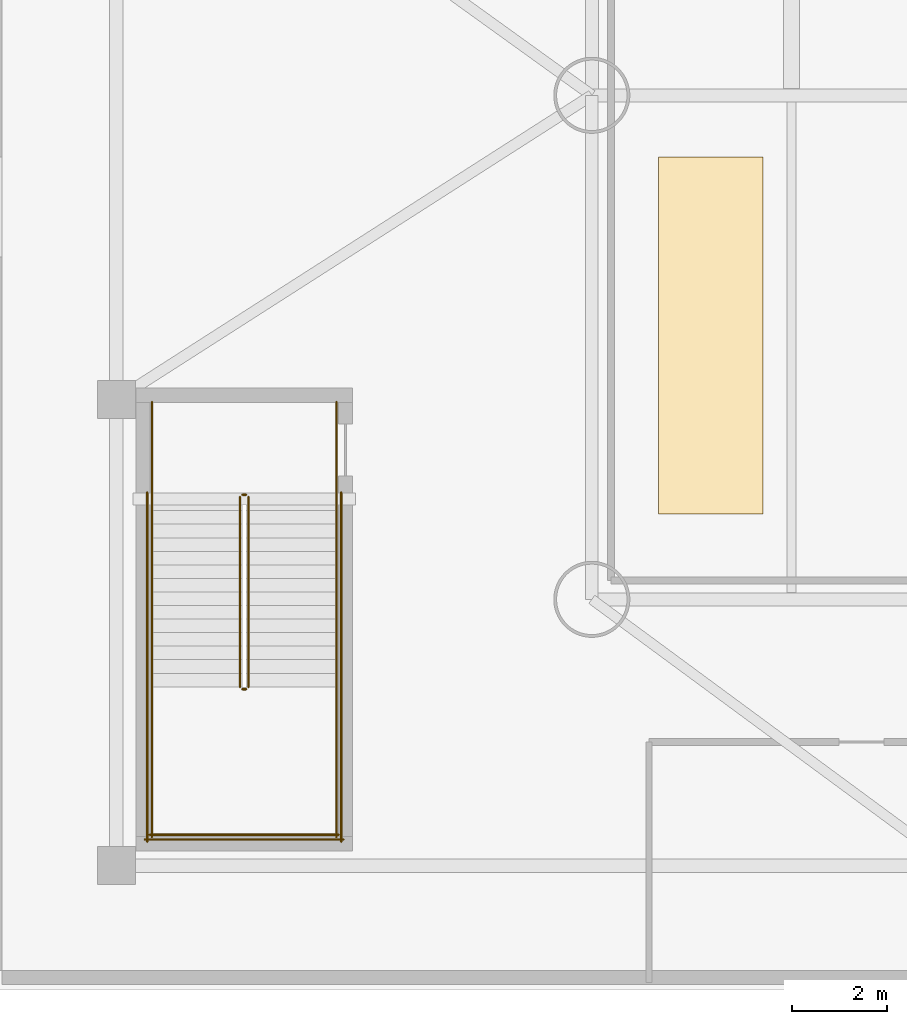
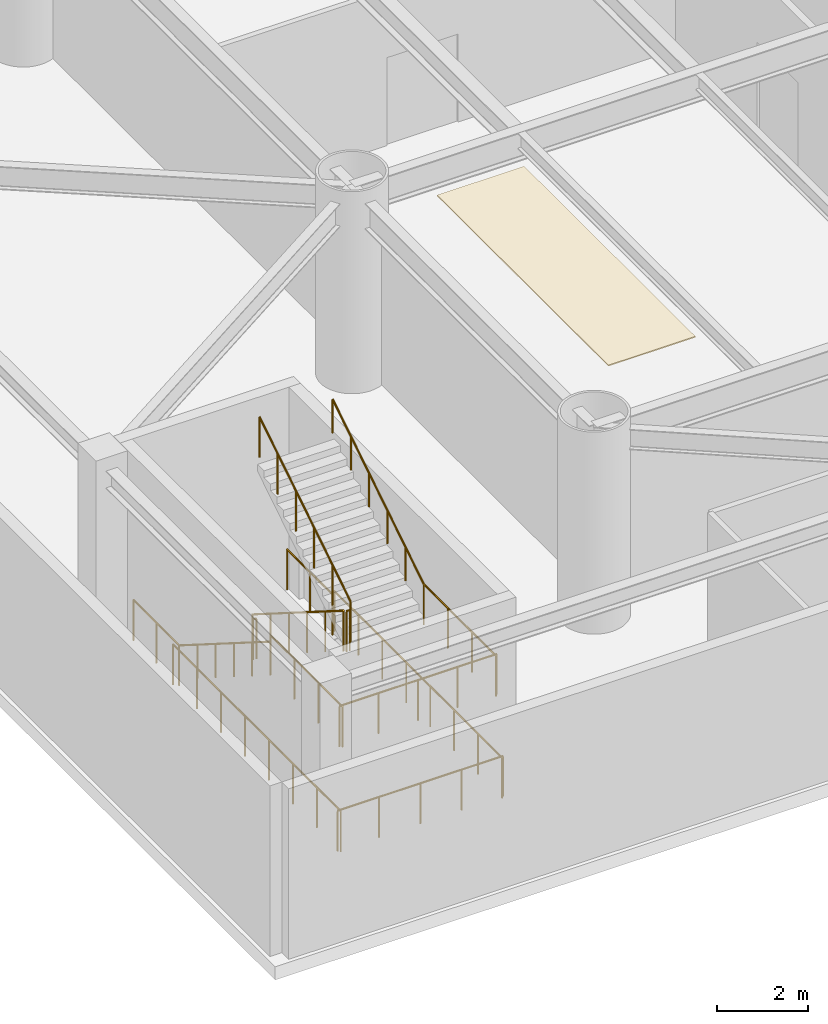
# One storey, part 10 of 16: 14 railings, 1 covering.
"""IFC4 building model written with IfcOpenShell, lengths in metres."""

from ifc_helpers import new_model, si_unit, direction, frame, origin, origin_2d, place, context, subcontext, project, spatial, polyline, circle, outline, extrude, material, layer, layer_set, type_object, element, save


model = new_model("IFC4")

# Units and contexts
model_context = context("Model", 3, precision=1e-05, world=origin(), true_north=direction((0.0, 1.0)))
body_context = subcontext(model_context, "Body", "Model", "MODEL_VIEW")
ifc_project = project(units=[si_unit("LENGTHUNIT", "METRE"), si_unit("AREAUNIT", "SQUARE_METRE"), si_unit("VOLUMEUNIT", "CUBIC_METRE"), si_unit("PLANEANGLEUNIT", "RADIAN"), si_unit("MASSUNIT", "GRAM", prefix="KILO")], contexts=[model_context])

# Site, building, storey
site_placement = place(None, origin())
site = spatial("IfcSite", under=ifc_project, at=site_placement, CompositionType="ELEMENT")
building_placement = place(site_placement, origin())
building = spatial("IfcBuilding", under=site, at=building_placement, Name="Bramvorn Convention Spire", CompositionType="ELEMENT")
storey_placement = place(building_placement, frame((0.0, 0.0, 6.60009765625)))
storey = spatial("IfcBuildingStorey", under=building, at=storey_placement, Name="L01", CompositionType="ELEMENT", Elevation=6.60009765625)

# Covering
ifc_material_1 = material(Name="Rift-Cut White Oak Linear Slat Acoustic Ceiling", Category="wood")
ifc_layer = layer(ifc_material_1, 0.030029296875)
ifc_layer_set = layer_set([ifc_layer], Name="Rift-Cut White Oak Linear Slat Acoustic Ceiling - CLG-TIMBER-30")
covering_type = type_object("IfcCoveringType", Name="CLG-TIMBER-30", PredefinedType="CEILING", material=ifc_layer_set)
covering_placement = place(storey_placement, frame((0.0, 0.0, 5.02001953125)))
element("IfcCovering", 1, at=covering_placement, inside=storey, type_object=covering_type, Name="L01 Exhibition Hall oak acoustic ceiling", PredefinedType="CEILING", context=body_context, shape_type="SweptSolid", body=[
    extrude(outline(polyline([(14.199951171875, 10.0), (16.39990234375, 10.0), (16.39990234375, 17.5), (14.199951171875, 17.5), (14.199951171875, 10.0)])), origin(), (0.0, 0.0, 1.0), 0.02978515625),
])

# Railings
ifc_material_2 = material(Name="Painted Steel Balustrade & Guardrail", Category="steel")
railing_type_1 = type_object("IfcRailingType", Name="RL-STAIR-GUARD-1100", PredefinedType="GUARDRAIL", material=ifc_material_2)
railing_1_placement = place(storey_placement, frame((5.39990234375, 10.35009765625, 0.179931640625)))
element("IfcRailing", 2, at=railing_1_placement, inside=storey, type_object=railing_type_1, Name="L01 ST4 stair guard 1", PredefinedType="GUARDRAIL", context=body_context, shape_type="SweptSolid", body=[
    extrude(circle(Radius=0.02392578125, at=origin_2d()), frame((0.0, 0.0, 1.076171875), z_axis=(0.0, -0.845486444383, 0.533996884227), x_axis=(1.0, 0.0, 0.0)), (0.0, 0.0, 1.0), 4.71923828125),
    extrude(circle(Radius=0.02099609375, at=origin_2d()), origin(), (0.0, 0.0, 1.0), 1.052001953125),
    extrude(circle(Radius=0.02099609375, at=origin_2d()), frame((0.0, -0.798095703125, 0.50390625)), (0.0, 0.0, 1.0), 1.052001953125),
    extrude(circle(Radius=0.02099609375, at=origin_2d()), frame((0.0, -1.595947265625, 1.008056640625)), (0.0, 0.0, 1.0), 1.052001953125),
    extrude(circle(Radius=0.02099609375, at=origin_2d()), frame((0.0, -2.39404296875, 1.511962890625)), (0.0, 0.0, 1.0), 1.052001953125),
    extrude(circle(Radius=0.02099609375, at=origin_2d()), frame((0.0, -3.19189453125, 2.01611328125)), (0.0, 0.0, 1.0), 1.052001953125),
    extrude(circle(Radius=0.02099609375, at=origin_2d()), frame((0.0, -3.989990234375, 2.52001953125)), (0.0, 0.0, 1.0), 1.052001953125),
])
railing_2_placement = place(storey_placement, frame((5.449951171875, 6.31005859375, 2.699951171875)))
element("IfcRailing", 3, at=railing_2_placement, inside=storey, type_object=railing_type_1, Name="L01 ST4 stair guard 2", PredefinedType="GUARDRAIL", context=body_context, shape_type="SweptSolid", body=[
    extrude(circle(Radius=0.02392578125, at=origin_2d()), frame((0.0, 0.0, 1.076171875), z_axis=(1.0, 0.0, 0.0), x_axis=(0.0, 1.0, 0.0)), (0.0, 0.0, 1.0), 0.080078125),
    extrude(circle(Radius=0.02099609375, at=origin_2d()), origin(), (0.0, 0.0, 1.0), 1.052001953125),
    extrude(circle(Radius=0.02099609375, at=origin_2d()), frame((0.080078125, 0.0, 0.0)), (0.0, 0.0, 1.0), 1.052001953125),
])
for number, where, name in (
    (4, (3.550048828125, 6.360107421875, 2.699951171875), "L01 ST4 stair guard 3"),
    (5, (7.429931640625, 6.360107421875, 2.699951171875), "L01 ST4 stair guard 4"),
):
    element("IfcRailing", number, at=place(storey_placement, frame(where)), inside=storey, type_object=railing_type_1, Name=name, PredefinedType="GUARDRAIL", context=body_context, shape_type="SweptSolid", body=[
        extrude(circle(Radius=0.02392578125, at=origin_2d()), frame((0.0, 0.0, 1.076171875), z_axis=(0.0, -1.0, 0.0), x_axis=(1.0, 0.0, 0.0)), (0.0, 0.0, 1.0), 3.16015625),
        extrude(circle(Radius=0.02099609375, at=origin_2d()), origin(), (0.0, 0.0, 1.0), 1.052001953125),
        extrude(circle(Radius=0.02099609375, at=origin_2d()), frame((0.0, -1.053466796875, 0.0)), (0.0, 0.0, 1.0), 1.052001953125),
        extrude(circle(Radius=0.02099609375, at=origin_2d()), frame((0.0, -2.106689453125, 0.0)), (0.0, 0.0, 1.0), 1.052001953125),
        extrude(circle(Radius=0.02099609375, at=origin_2d()), frame((0.0, -3.16015625, 0.0)), (0.0, 0.0, 1.0), 1.052001953125),
    ])
railing_3_placement = place(storey_placement, frame((3.5, 3.25, 2.699951171875)))
element("IfcRailing", 6, at=railing_3_placement, inside=storey, type_object=railing_type_1, Name="L01 ST4 stair guard 5", PredefinedType="GUARDRAIL", context=body_context, shape_type="SweptSolid", body=[
    extrude(circle(Radius=0.02392578125, at=origin_2d()), frame((0.0, 0.0, 1.076171875), z_axis=(1.0, 0.0, 0.0), x_axis=(0.0, 1.0, 0.0)), (0.0, 0.0, 1.0), 3.97998046875),
    extrude(circle(Radius=0.02099609375, at=origin_2d()), origin(), (0.0, 0.0, 1.0), 1.052001953125),
    extrude(circle(Radius=0.02099609375, at=origin_2d()), frame((0.9951171875, 0.0, 0.0)), (0.0, 0.0, 1.0), 1.052001953125),
    extrude(circle(Radius=0.02099609375, at=origin_2d()), frame((1.989990234375, 0.0, 0.0)), (0.0, 0.0, 1.0), 1.052001953125),
    extrude(circle(Radius=0.02099609375, at=origin_2d()), frame((2.98486328125, 0.0, 0.0)), (0.0, 0.0, 1.0), 1.052001953125),
    extrude(circle(Radius=0.02099609375, at=origin_2d()), frame((3.97998046875, 0.0, 0.0)), (0.0, 0.0, 1.0), 1.052001953125),
])
railing_4_placement = place(storey_placement, frame((5.580078125, 6.360107421875, 2.8798828125)))
element("IfcRailing", 7, at=railing_4_placement, inside=storey, type_object=railing_type_1, Name="L01 ST4 stair guard 6", PredefinedType="GUARDRAIL", context=body_context, shape_type="SweptSolid", body=[
    extrude(circle(Radius=0.02392578125, at=origin_2d()), frame((0.0, 0.0, 1.076171875), z_axis=(0.0, 0.845486444383, 0.533996884227), x_axis=(-1.0, 0.0, 0.0)), (0.0, 0.0, 1.0), 4.71923828125),
    extrude(circle(Radius=0.02099609375, at=origin_2d()), origin(), (0.0, 0.0, 1.0), 1.052001953125),
    extrude(circle(Radius=0.02099609375, at=origin_2d()), frame((0.0, 0.798095703125, 0.50390625)), (0.0, 0.0, 1.0), 1.052001953125),
    extrude(circle(Radius=0.02099609375, at=origin_2d()), frame((0.0, 1.595947265625, 1.008056640625)), (0.0, 0.0, 1.0), 1.052001953125),
    extrude(circle(Radius=0.02099609375, at=origin_2d()), frame((0.0, 2.39404296875, 1.511962890625)), (0.0, 0.0, 1.0), 1.052001953125),
    extrude(circle(Radius=0.02099609375, at=origin_2d()), frame((0.0, 3.19189453125, 2.01611328125)), (0.0, 0.0, 1.0), 1.052001953125),
    extrude(circle(Radius=0.02099609375, at=origin_2d()), frame((0.0, 3.989990234375, 2.52001953125)), (0.0, 0.0, 1.0), 1.052001953125),
])
railing_5_placement = place(storey_placement, frame((5.449951171875, 10.39990234375, 0.0)))
element("IfcRailing", 8, at=railing_5_placement, inside=storey, type_object=railing_type_1, Name="L01 ST4 stair guard 7", PredefinedType="GUARDRAIL", context=body_context, shape_type="SweptSolid", body=[
    extrude(circle(Radius=0.02392578125, at=origin_2d()), frame((0.0, 0.0, 1.076171875), z_axis=(1.0, 0.0, 0.0), x_axis=(0.0, 1.0, 0.0)), (0.0, 0.0, 1.0), 0.080078125),
    extrude(circle(Radius=0.02099609375, at=origin_2d()), origin(), (0.0, 0.0, 1.0), 1.052001953125),
    extrude(circle(Radius=0.02099609375, at=origin_2d()), frame((0.080078125, 0.0, 0.0)), (0.0, 0.0, 1.0), 1.052001953125),
])
for number, where, name in (
    (9, (3.550048828125, 12.35009765625, 0.0), "L01 ST4 stair guard 8"),
    (10, (7.429931640625, 12.35009765625, 0.0), "L01 ST4 stair guard 9"),
):
    element("IfcRailing", number, at=place(storey_placement, frame(where)), inside=storey, type_object=railing_type_1, Name=name, PredefinedType="GUARDRAIL", context=body_context, shape_type="SweptSolid", body=[
        extrude(circle(Radius=0.02392578125, at=origin_2d()), frame((0.0, 0.0, 1.076171875), z_axis=(0.0, -1.0, 0.0), x_axis=(1.0, 0.0, 0.0)), (0.0, 0.0, 1.0), 2.0),
        extrude(circle(Radius=0.02099609375, at=origin_2d()), origin(), (0.0, 0.0, 1.0), 1.052001953125),
        extrude(circle(Radius=0.02099609375, at=origin_2d()), frame((0.0, -1.0, 0.0)), (0.0, 0.0, 1.0), 1.052001953125),
        extrude(circle(Radius=0.02099609375, at=origin_2d()), frame((0.0, -2.0, 0.0)), (0.0, 0.0, 1.0), 1.052001953125),
    ])
for number, where, name in (
    (11, (3.449951171875, 10.449951171875, 0.0), "L01 ST4 stair guard 10"),
    (12, (7.530029296875, 10.449951171875, 0.0), "L01 ST4 stair guard 11"),
):
    element("IfcRailing", number, at=place(storey_placement, frame(where)), inside=storey, type_object=railing_type_1, Name=name, PredefinedType="GUARDRAIL", context=body_context, shape_type="SweptSolid", body=[
        extrude(circle(Radius=0.02392578125, at=origin_2d()), frame((0.0, 0.0, 1.076171875), z_axis=(0.0, -1.0, 0.0), x_axis=(1.0, 0.0, 0.0)), (0.0, 0.0, 1.0), 7.349853515625),
        extrude(circle(Radius=0.02099609375, at=origin_2d()), origin(), (0.0, 0.0, 1.0), 1.052001953125),
        extrude(circle(Radius=0.02099609375, at=origin_2d()), frame((0.0, -1.050048828125, 0.0)), (0.0, 0.0, 1.0), 1.052001953125),
        extrude(circle(Radius=0.02099609375, at=origin_2d()), frame((0.0, -2.099853515625, 0.0)), (0.0, 0.0, 1.0), 1.052001953125),
        extrude(circle(Radius=0.02099609375, at=origin_2d()), frame((0.0, -3.14990234375, 0.0)), (0.0, 0.0, 1.0), 1.052001953125),
        extrude(circle(Radius=0.02099609375, at=origin_2d()), frame((0.0, -4.199951171875, 0.0)), (0.0, 0.0, 1.0), 1.052001953125),
        extrude(circle(Radius=0.02099609375, at=origin_2d()), frame((0.0, -5.25, 0.0)), (0.0, 0.0, 1.0), 1.052001953125),
        extrude(circle(Radius=0.02099609375, at=origin_2d()), frame((0.0, -6.2998046875, 0.0)), (0.0, 0.0, 1.0), 1.052001953125),
        extrude(circle(Radius=0.02099609375, at=origin_2d()), frame((0.0, -7.349853515625, 0.0)), (0.0, 0.0, 1.0), 1.052001953125),
    ])
railing_6_placement = place(storey_placement, frame((3.39990234375, 3.14990234375, 0.0)))
element("IfcRailing", 13, at=railing_6_placement, inside=storey, type_object=railing_type_1, Name="L01 ST4 stair guard 12", PredefinedType="GUARDRAIL", context=body_context, shape_type="SweptSolid", body=[
    extrude(circle(Radius=0.02392578125, at=origin_2d()), frame((0.0, 0.0, 1.076171875), z_axis=(1.0, 0.0, 0.0), x_axis=(0.0, 1.0, 0.0)), (0.0, 0.0, 1.0), 4.18017578125),
    extrude(circle(Radius=0.02099609375, at=origin_2d()), origin(), (0.0, 0.0, 1.0), 1.052001953125),
    extrude(circle(Radius=0.02099609375, at=origin_2d()), frame((1.044921875, 0.0, 0.0)), (0.0, 0.0, 1.0), 1.052001953125),
    extrude(circle(Radius=0.02099609375, at=origin_2d()), frame((2.090087890625, 0.0, 0.0)), (0.0, 0.0, 1.0), 1.052001953125),
    extrude(circle(Radius=0.02099609375, at=origin_2d()), frame((3.13525390625, 0.0, 0.0)), (0.0, 0.0, 1.0), 1.052001953125),
    extrude(circle(Radius=0.02099609375, at=origin_2d()), frame((4.18017578125, 0.0, 0.0)), (0.0, 0.0, 1.0), 1.052001953125),
])
ifc_material_3 = material(Name="Brushed Bronze Tubular Handrail", Category="aluminium")
railing_type_2 = type_object("IfcRailingType", Name="RL-STAIR-HR-920", PredefinedType="HANDRAIL", material=ifc_material_3)
railing_7_placement = place(storey_placement, frame((3.550048828125, 10.35009765625, 0.179931640625)))
element("IfcRailing", 14, at=railing_7_placement, inside=storey, type_object=railing_type_2, Name="L01 ST4 stair handrail 1", PredefinedType="HANDRAIL", context=body_context, shape_type="SweptSolid", body=[
    extrude(circle(Radius=0.02392578125, at=origin_2d()), frame((0.0, 0.0, 0.89599609375), z_axis=(0.0, -0.845486444383, 0.533996884227), x_axis=(1.0, 0.0, 0.0)), (0.0, 0.0, 1.0), 4.71923828125),
    extrude(circle(Radius=0.02099609375, at=origin_2d()), origin(), (0.0, 0.0, 1.0), 0.871826171875),
    extrude(circle(Radius=0.02099609375, at=origin_2d()), frame((0.0, -0.798095703125, 0.50390625)), (0.0, 0.0, 1.0), 0.871826171875),
    extrude(circle(Radius=0.02099609375, at=origin_2d()), frame((0.0, -1.595947265625, 1.008056640625)), (0.0, 0.0, 1.0), 0.871826171875),
    extrude(circle(Radius=0.02099609375, at=origin_2d()), frame((0.0, -2.39404296875, 1.511962890625)), (0.0, 0.0, 1.0), 0.871826171875),
    extrude(circle(Radius=0.02099609375, at=origin_2d()), frame((0.0, -3.19189453125, 2.01611328125)), (0.0, 0.0, 1.0), 0.871826171875),
    extrude(circle(Radius=0.02099609375, at=origin_2d()), frame((0.0, -3.989990234375, 2.52001953125)), (0.0, 0.0, 1.0), 0.871826171875),
])
railing_8_placement = place(storey_placement, frame((7.429931640625, 6.360107421875, 2.8798828125)))
element("IfcRailing", 15, at=railing_8_placement, inside=storey, type_object=railing_type_2, Name="L01 ST4 stair handrail 2", PredefinedType="HANDRAIL", context=body_context, shape_type="SweptSolid", body=[
    extrude(circle(Radius=0.02392578125, at=origin_2d()), frame((0.0, 0.0, 0.89599609375), z_axis=(0.0, 0.845486444383, 0.533996884227), x_axis=(-1.0, 0.0, 0.0)), (0.0, 0.0, 1.0), 4.71923828125),
    extrude(circle(Radius=0.02099609375, at=origin_2d()), origin(), (0.0, 0.0, 1.0), 0.871826171875),
    extrude(circle(Radius=0.02099609375, at=origin_2d()), frame((0.0, 0.798095703125, 0.50390625)), (0.0, 0.0, 1.0), 0.871826171875),
    extrude(circle(Radius=0.02099609375, at=origin_2d()), frame((0.0, 1.595947265625, 1.008056640625)), (0.0, 0.0, 1.0), 0.871826171875),
    extrude(circle(Radius=0.02099609375, at=origin_2d()), frame((0.0, 2.39404296875, 1.511962890625)), (0.0, 0.0, 1.0), 0.871826171875),
    extrude(circle(Radius=0.02099609375, at=origin_2d()), frame((0.0, 3.19189453125, 2.01611328125)), (0.0, 0.0, 1.0), 0.871826171875),
    extrude(circle(Radius=0.02099609375, at=origin_2d()), frame((0.0, 3.989990234375, 2.52001953125)), (0.0, 0.0, 1.0), 0.871826171875),
])

save(model, "model.ifc")
